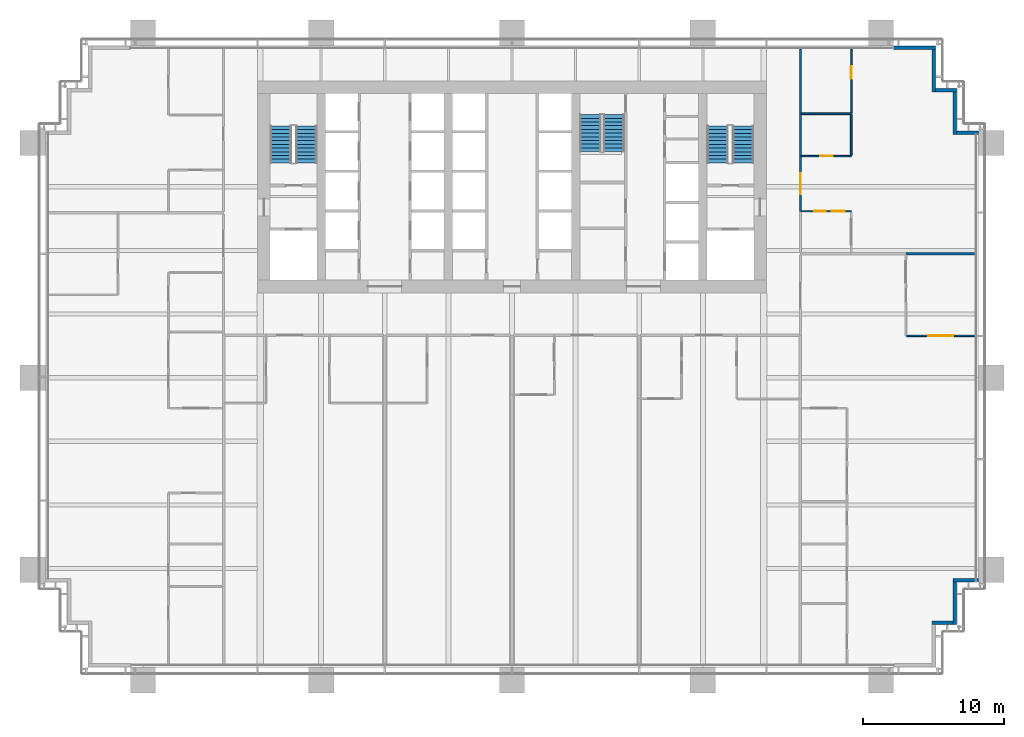
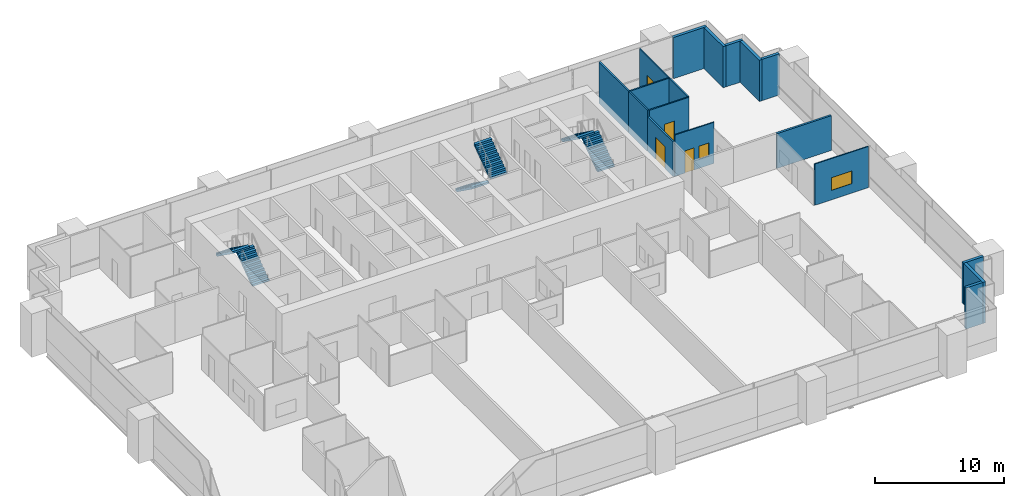
# One storey, part 15 of 20: 18 walls, 6 stair flights, 4 doors, 2 windows, 6 openings, 3 elements without a shape of their own.
"""IFC4 building model written with IfcOpenShell, lengths in metres."""

from ifc_helpers import new_model, si_unit, direction, frame, frame_2d, origin, place, context, subcontext, project, spatial, polyline, rectangle, outline, extrude, material, layer, layer_set, type_object, element, fill, aggregate, save


model = new_model("IFC4")

# Units and contexts
model_context = context("Model", 3, precision=1e-05, world=origin(), true_north=direction((0.0, 1.0)))
body_context = subcontext(model_context, "Body", "Model", "MODEL_VIEW")
ifc_project = project(units=[si_unit("LENGTHUNIT", "METRE"), si_unit("AREAUNIT", "SQUARE_METRE"), si_unit("VOLUMEUNIT", "CUBIC_METRE"), si_unit("PLANEANGLEUNIT", "RADIAN"), si_unit("MASSUNIT", "GRAM", prefix="KILO")], contexts=[model_context])

# Site, building, storey
site_placement = place(None, origin())
site = spatial("IfcSite", under=ifc_project, at=site_placement, CompositionType="ELEMENT")
building_placement = place(site_placement, origin())
building = spatial("IfcBuilding", under=site, at=building_placement, Name="Rattan Terrace Tower", CompositionType="ELEMENT")
storey_placement = place(building_placement, frame((0.0, 0.0, 40.60009765625)))
storey = spatial("IfcBuildingStorey", under=building, at=storey_placement, Name="L08", CompositionType="ELEMENT", Elevation=40.60009765625)

# Walls
ifc_material_1 = material(Name="Insulated aluminium-clad stud wall", Category="aluminium")
ifc_layer_1 = layer(ifc_material_1, 0.25)
ifc_layer_set_1 = layer_set([ifc_layer_1], Name="Facade Riser Wall 250")
wall_type_1 = type_object("IfcWallType", Name="Facade Riser Wall 250", PredefinedType="SOLIDWALL", material=ifc_layer_set_1)
wall_1_placement = place(storey_placement, frame((29.705078125, -30.830078125, 0.0), z_axis=(0.0, 0.0, 1.0), x_axis=(1.0, 0.0, 0.0)))
element("IfcWall", 1, at=wall_1_placement, inside=storey, type_object=wall_type_1, Name="Riser wall L08-3", PredefinedType="SOLIDWALL", context=body_context, shape_type="SweptSolid", body=[
    extrude(rectangle(XDim=1.5, YDim=0.25, at=frame_2d((0.75, 0.0))), origin(), (0.0, 0.0, 1.0), 3.89990234375),
])
wall_2_placement = place(storey_placement, frame((31.330078125, -30.955078125, 0.0), z_axis=(0.0, 0.0, 1.0), x_axis=(0.0, 1.0, 0.0)))
element("IfcWall", 2, at=wall_2_placement, inside=storey, type_object=wall_type_1, Name="Riser wall L08-4", PredefinedType="SOLIDWALL", context=body_context, shape_type="SweptSolid", body=[
    extrude(rectangle(XDim=3.0, YDim=0.25, at=frame_2d((1.5, 0.0))), origin(), (0.0, 0.0, 1.0), 3.89990234375),
])
wall_3_placement = place(storey_placement, frame((31.205078125, -27.830078125, 0.0), z_axis=(0.0, 0.0, 1.0), x_axis=(1.0, 0.0, 0.0)))
element("IfcWall", 3, at=wall_3_placement, inside=storey, type_object=wall_type_1, Name="Riser wall L08-5", PredefinedType="SOLIDWALL", context=body_context, shape_type="SweptSolid", body=[
    extrude(rectangle(XDim=1.7998046875, YDim=0.25, at=frame_2d((0.89990234375, 0.0))), origin(), (0.0, 0.0, 1.0), 3.89990234375),
])
wall_4_placement = place(storey_placement, frame((33.0048828125, 3.830078125, 0.0), z_axis=(0.0, 0.0, 1.0), x_axis=(-1.0, 0.0, 0.0)))
element("IfcWall", 4, at=wall_4_placement, inside=storey, type_object=wall_type_1, Name="Riser wall L08-6", PredefinedType="SOLIDWALL", context=body_context, shape_type="SweptSolid", body=[
    extrude(rectangle(XDim=1.5498046875, YDim=0.25, at=frame_2d((0.77490234375, 0.0))), origin(), (0.0, 0.0, 1.0), 3.89990234375),
])
wall_5_placement = place(storey_placement, frame((31.330078125, 3.705078125, 0.0), z_axis=(0.0, 0.0, 1.0), x_axis=(0.0, 1.0, 0.0)))
element("IfcWall", 5, at=wall_5_placement, inside=storey, type_object=wall_type_1, Name="Riser wall L08-7", PredefinedType="SOLIDWALL", context=body_context, shape_type="SweptSolid", body=[
    extrude(rectangle(XDim=3.0, YDim=0.25, at=frame_2d((1.5, 0.0))), origin(), (0.0, 0.0, 1.0), 3.89990234375),
])
wall_6_placement = place(storey_placement, frame((31.455078125, 6.830078125, 0.0), z_axis=(0.0, 0.0, 1.0), x_axis=(-1.0, 0.0, 0.0)))
element("IfcWall", 6, at=wall_6_placement, inside=storey, type_object=wall_type_1, Name="Riser wall L08-8", PredefinedType="SOLIDWALL", context=body_context, shape_type="SweptSolid", body=[
    extrude(rectangle(XDim=1.5, YDim=0.25, at=frame_2d((0.75, 0.0))), origin(), (0.0, 0.0, 1.0), 3.89990234375),
])
wall_7_placement = place(storey_placement, frame((29.830078125, 6.705078125, 0.0), z_axis=(0.0, 0.0, 1.0), x_axis=(0.0, 1.0, 0.0)))
element("IfcWall", 7, at=wall_7_placement, inside=storey, type_object=wall_type_1, Name="Riser wall L08-9", PredefinedType="SOLIDWALL", context=body_context, shape_type="SweptSolid", body=[
    extrude(rectangle(XDim=3.0, YDim=0.25, at=frame_2d((1.5, 0.0))), origin(), (0.0, 0.0, 1.0), 3.89990234375),
])
wall_8_placement = place(storey_placement, frame((29.955078125, 9.830078125, 0.0), z_axis=(0.0, 0.0, 1.0), x_axis=(-1.0, 0.0, 0.0)))
element("IfcWall", 8, at=wall_8_placement, inside=storey, type_object=wall_type_1, Name="Riser wall L08-10", PredefinedType="SOLIDWALL", context=body_context, shape_type="SweptSolid", body=[
    extrude(rectangle(XDim=2.955078125, YDim=0.25, at=frame_2d((1.4775390625, 0.0))), origin(), (0.0, 0.0, 1.0), 3.89990234375),
])
ifc_material_2 = material(Name="Double steel stud acoustic partition, gypsum board, mineral wool, fire rated", Category="steel")
ifc_layer_2 = layer(ifc_material_2, 0.179931640625)
ifc_layer_set_2 = layer_set([ifc_layer_2], Name="Floors Acoustic Party Wall 180")
wall_type_2 = type_object("IfcWallType", Name="Floors Acoustic Party Wall 180", PredefinedType="PARTITIONING", material=ifc_layer_set_2)
wall_9_placement = place(storey_placement, frame((27.860107421875, -4.72705078125, 0.0), z_axis=(0.0, 0.0, 1.0), x_axis=(1.0, 0.0, 0.0)))
element("IfcWall", 9, at=wall_9_placement, inside=storey, type_object=wall_type_2, Name="pt-L08-081", PredefinedType="PARTITIONING", context=body_context, shape_type="SweptSolid", body=[
    extrude(rectangle(XDim=4.8798828125, YDim=0.179931640625, at=frame_2d((2.43994140625, 0.0))), origin(), (0.0, 0.0, 1.0), 3.2998046875),
])

# Wall, opening, window
ifc_material_3 = material(Name="Gypsum board partition on steel studs", Category="steel")
ifc_layer_3 = layer(ifc_material_3, 0.10009765625)
ifc_layer_set_3 = layer_set([ifc_layer_3], Name="Floors Partition 100")
wall_type_3 = type_object("IfcWallType", Name="Floors Partition 100", PredefinedType="PARTITIONING", material=ifc_layer_set_3)
wall_10_placement = place(storey_placement, frame((27.909912109375, -10.544921875, 0.0), z_axis=(0.0, 0.0, 1.0), x_axis=(1.0, 0.0, 0.0)))
wall_10 = element("IfcWall", 10, at=wall_10_placement, inside=storey, type_object=wall_type_3, Name="pt-L08-073", PredefinedType="PARTITIONING", context=body_context, shape_type="SweptSolid", body=[
    extrude(rectangle(XDim=4.830078125, YDim=0.10009765625, at=frame_2d((2.4150390625, 0.0))), origin(), (0.0, 0.0, 1.0), 3.89990234375),
])
opening_1_placement = place(wall_10_placement, frame((1.514892578125, 0.0, 0.89990234375)))
opening_1 = element("IfcOpeningElement", 11, at=opening_1_placement, cuts=wall_10, Name="Opening L08-W107", PredefinedType="OPENING", context=body_context, shape_type="SweptSolid", body=[
    extrude(rectangle(XDim=1.800048828125, YDim=1.199951171875, at=frame_2d((0.89990234375, 0.60009765625))), frame((0.0, 0.060546875, 0.0), z_axis=(0.0, -1.0, 0.0), x_axis=(1.0, 0.0, 0.0)), (0.0, 0.0, 1.0), 0.12109375),
])
ifc_material_4 = material(Name="Glass, clear, fixed in aluminium frame", Category="aluminium")
window_type_1 = type_object("IfcWindowType", Name="Interior Vision Window 1800x1200", PartitioningType="SINGLE_PANEL", PredefinedType="WINDOW", material=ifc_material_4)
window_1_placement = place(opening_1_placement, origin())
window_1 = element("IfcWindow", 12, at=window_1_placement, inside=storey, type_object=window_type_1, Name="w-L08-107", OverallHeight=1.199951171875, OverallWidth=1.800048828125, PartitioningType="SINGLE_PANEL", PredefinedType="WINDOW", context=body_context, shape_type="SweptSolid", body=[
    extrude(rectangle(XDim=1.800048828125, YDim=1.199951171875, at=frame_2d((0.89990234375, 0.60009765625))), frame((0.0, 0.030029296875, 0.0), z_axis=(0.0, -1.0, 0.0), x_axis=(1.0, 0.0, 0.0)), (0.0, 0.0, 1.0), 0.06005859375),
])
fill(opening_1, window_1)

# Wall, openings, door, window
wall_11_placement = place(storey_placement, frame((24.0, -1.72705078125, 0.0), z_axis=(0.0, 0.0, 1.0), x_axis=(-1.0, 0.0, 0.0)))
wall_11 = element("IfcWall", 13, at=wall_11_placement, inside=storey, type_object=wall_type_3, Name="pt-L08-085", PredefinedType="PARTITIONING", context=body_context, shape_type="SweptSolid", body=[
    extrude(rectangle(XDim=3.52490234375, YDim=0.10009765625, at=frame_2d((1.762451171875, 0.0))), origin(), (0.0, 0.0, 1.0), 3.89990234375),
])
opening_2_placement = place(wall_11_placement, frame((1.806884765625, 0.0, 0.0)))
opening_2 = element("IfcOpeningElement", 14, at=opening_2_placement, cuts=wall_11, Name="Opening L08-D127", PredefinedType="OPENING", context=body_context, shape_type="SweptSolid", body=[
    extrude(rectangle(XDim=0.800048828125, YDim=2.10009765625, at=frame_2d((0.39990234375, 1.050048828125))), frame((0.0, 0.060546875, 0.0), z_axis=(0.0, -1.0, 0.0), x_axis=(1.0, 0.0, 0.0)), (0.0, 0.0, 1.0), 0.12109375),
])
opening_3_placement = place(wall_11_placement, frame((0.47900390625, 0.0, 0.89990234375)))
opening_3 = element("IfcOpeningElement", 15, at=opening_3_placement, cuts=wall_11, Name="Opening L08-W110", PredefinedType="OPENING", context=body_context, shape_type="SweptSolid", body=[
    extrude(rectangle(XDim=0.89990234375, YDim=1.199951171875, at=frame_2d((0.449951171875, 0.60009765625))), frame((0.0, 0.060546875, 0.0), z_axis=(0.0, -1.0, 0.0), x_axis=(1.0, 0.0, 0.0)), (0.0, 0.0, 1.0), 0.12109375),
])
ifc_material_5 = material(Name="Solid core timber door, painted", Category="wood")
door_type_1 = type_object("IfcDoorType", Name="Floors Store Door 800x2100", OperationType="NOTDEFINED", PredefinedType="DOOR", material=ifc_material_5)
door_1_placement = place(opening_2_placement, origin())
door_1 = element("IfcDoor", 16, at=door_1_placement, inside=storey, type_object=door_type_1, Name="d-L08-127", OperationType="SINGLE_SWING_RIGHT", OverallHeight=2.10009765625, OverallWidth=0.800048828125, PredefinedType="DOOR", context=body_context, shape_type="SweptSolid", body=[
    extrude(rectangle(XDim=0.800048828125, YDim=2.10009765625, at=frame_2d((0.39990234375, 1.050048828125))), frame((0.0, 0.02490234375, 0.0), z_axis=(0.0, -1.0, 0.0), x_axis=(1.0, 0.0, 0.0)), (0.0, 0.0, 1.0), 0.050048828125),
])
fill(opening_2, door_1)
ifc_material_6 = material(Name="Glass, clear, fixed in aluminium frame", Category="aluminium")
window_type_2 = type_object("IfcWindowType", Name="Interior Vision Window 900x1200", PartitioningType="SINGLE_PANEL", PredefinedType="WINDOW", material=ifc_material_6)
window_2_placement = place(opening_3_placement, origin())
window_2 = element("IfcWindow", 17, at=window_2_placement, inside=storey, type_object=window_type_2, Name="w-L08-110", OverallHeight=1.199951171875, OverallWidth=0.89990234375, PartitioningType="SINGLE_PANEL", PredefinedType="WINDOW", context=body_context, shape_type="SweptSolid", body=[
    extrude(rectangle(XDim=0.89990234375, YDim=1.199951171875, at=frame_2d((0.449951171875, 0.60009765625))), frame((0.0, 0.030029296875, 0.0), z_axis=(0.0, -1.0, 0.0), x_axis=(1.0, 0.0, 0.0)), (0.0, 0.0, 1.0), 0.06005859375),
])
fill(opening_3, window_2)

# Wall, opening, door
wall_12_placement = place(storey_placement, frame((24.0, 5.193115234375, 0.0), z_axis=(0.0, 0.0, 1.0), x_axis=(0.0, 1.0, 0.0)))
wall_12 = element("IfcWall", 18, at=wall_12_placement, inside=storey, type_object=wall_type_3, Name="pt-L08-089", PredefinedType="PARTITIONING", context=body_context, shape_type="SweptSolid", body=[
    extrude(rectangle(XDim=4.546875, YDim=0.10009765625, at=frame_2d((2.2734375, 0.0))), origin(), (0.0, 0.0, 1.0), 3.89990234375),
])
opening_4_placement = place(wall_12_placement, frame((2.452880859375, 0.0, 0.0)))
opening_4 = element("IfcOpeningElement", 19, at=opening_4_placement, cuts=wall_12, Name="Opening L08-D129", PredefinedType="OPENING", context=body_context, shape_type="SweptSolid", body=[
    extrude(rectangle(XDim=0.89990234375, YDim=2.10009765625, at=frame_2d((0.449951171875, 1.050048828125))), frame((0.0, 0.060546875, 0.0), z_axis=(0.0, -1.0, 0.0), x_axis=(1.0, 0.0, 0.0)), (0.0, 0.0, 1.0), 0.12109375),
])
ifc_material_7 = material(Name="Solid core timber door, painted", Category="wood")
door_type_2 = type_object("IfcDoorType", Name="Floors Door 900x2100", OperationType="NOTDEFINED", PredefinedType="DOOR", material=ifc_material_7)
door_2_placement = place(opening_4_placement, origin())
door_2 = element("IfcDoor", 20, at=door_2_placement, inside=storey, type_object=door_type_2, Name="d-L08-129", OperationType="SINGLE_SWING_RIGHT", OverallHeight=2.10009765625, OverallWidth=0.89990234375, PredefinedType="DOOR", context=body_context, shape_type="SweptSolid", body=[
    extrude(rectangle(XDim=0.89990234375, YDim=2.10009765625, at=frame_2d((0.449951171875, 1.050048828125))), frame((0.0, 0.02490234375, 0.0), z_axis=(0.0, -1.0, 0.0), x_axis=(1.0, 0.0, 0.0)), (0.0, 0.0, 1.0), 0.050048828125),
])
fill(opening_4, door_2)

ifc_material_8 = material(Name="Gypsum board partition on steel studs, fire rated", Category="steel")
ifc_layer_4 = layer(ifc_material_8, 0.14990234375)
ifc_layer_set_4 = layer_set([ifc_layer_4], Name="Floors Tenancy Wall 150")
wall_type_4 = type_object("IfcWallType", Name="Floors Tenancy Wall 150", PredefinedType="PARTITIONING", material=ifc_layer_set_4)
wall_13_placement = place(storey_placement, frame((20.39990234375, 2.193115234375, 0.0), z_axis=(0.0, 0.0, 1.0), x_axis=(0.0, -1.0, 0.0)))
wall_13 = element("IfcWall", 21, at=wall_13_placement, inside=storey, type_object=wall_type_4, Name="pt-L08-018", PredefinedType="PARTITIONING", context=body_context, shape_type="SweptSolid", body=[
    extrude(rectangle(XDim=3.940185546875, YDim=0.14990234375, at=frame_2d((1.97021484375, 0.0))), origin(), (0.0, 0.0, 1.0), 3.2998046875),
])
opening_5_placement = place(wall_13_placement, frame((1.219970703125, 0.0, 0.0)))
opening_5 = element("IfcOpeningElement", 22, at=opening_5_placement, cuts=wall_13, Name="Opening L08-D126", PredefinedType="OPENING", context=body_context, shape_type="SweptSolid", body=[
    extrude(rectangle(XDim=1.5, YDim=2.10009765625, at=frame_2d((0.75, 1.050048828125))), frame((0.0, 0.08544921875, 0.0), z_axis=(0.0, -1.0, 0.0), x_axis=(1.0, 0.0, 0.0)), (0.0, 0.0, 1.0), 0.1708984375),
])
ifc_material_9 = material(Name="Steel fire door set", Category="steel")
door_type_3 = type_object("IfcDoorType", Name="Floors Unit Door Pair FD30S 1500x2100", OperationType="NOTDEFINED", PredefinedType="DOOR", material=ifc_material_9)
door_3_placement = place(opening_5_placement, origin())
door_3 = element("IfcDoor", 23, at=door_3_placement, inside=storey, type_object=door_type_3, Name="d-L08-126", OperationType="DOUBLE_DOOR_SINGLE_SWING", OverallHeight=2.10009765625, OverallWidth=1.5, PredefinedType="DOOR", context=body_context, shape_type="SweptSolid", body=[
    extrude(rectangle(XDim=1.5, YDim=2.10009765625, at=frame_2d((0.75, 1.050048828125))), frame((0.0, 0.02490234375, 0.0), z_axis=(0.0, -1.0, 0.0), x_axis=(1.0, 0.0, 0.0)), (0.0, 0.0, 1.0), 0.050048828125),
])
fill(opening_5, door_3)

# Walls
wall_14_placement = place(storey_placement, frame((20.39990234375, 5.153076171875, 0.0), z_axis=(0.0, 0.0, 1.0), x_axis=(0.0, -1.0, 0.0)))
element("IfcWall", 24, at=wall_14_placement, inside=storey, type_object=wall_type_4, Name="pt-L08-020", PredefinedType="PARTITIONING", context=body_context, shape_type="SweptSolid", body=[
    extrude(rectangle(XDim=2.9599609375, YDim=0.14990234375, at=frame_2d((1.47998046875, 0.0))), origin(), (0.0, 0.0, 1.0), 3.89990234375),
])
wall_15_placement = place(storey_placement, frame((20.39990234375, 9.739990234375, 0.0), z_axis=(0.0, 0.0, 1.0), x_axis=(0.0, -1.0, 0.0)))
element("IfcWall", 25, at=wall_15_placement, inside=storey, type_object=wall_type_4, Name="pt-L08-021", PredefinedType="PARTITIONING", context=body_context, shape_type="SweptSolid", body=[
    extrude(rectangle(XDim=4.5869140625, YDim=0.14990234375, at=frame_2d((2.29345703125, 0.0))), origin(), (0.0, 0.0, 1.0), 3.89990234375),
])

# Wall, opening, door
ifc_material_10 = material(Name="Moisture resistant gypsum board partition on steel studs with service cavity", Category="steel")
ifc_layer_5 = layer(ifc_material_10, 0.1201171875)
ifc_layer_set_5 = layer_set([ifc_layer_5], Name="Floors Wet Wall 120")
wall_type_5 = type_object("IfcWallType", Name="Floors Wet Wall 120", PredefinedType="PARTITIONING", material=ifc_layer_set_5)
wall_16_placement = place(storey_placement, frame((20.47509765625, 2.173095703125, 0.0), z_axis=(0.0, 0.0, 1.0), x_axis=(1.0, 0.0, 0.0)))
wall_16 = element("IfcWall", 26, at=wall_16_placement, inside=storey, type_object=wall_type_5, Name="pt-L08-087", PredefinedType="PARTITIONING", context=body_context, shape_type="SweptSolid", body=[
    extrude(rectangle(XDim=3.52490234375, YDim=0.1201171875, at=frame_2d((1.762451171875, 0.0))), origin(), (0.0, 0.0, 1.0), 3.89990234375),
])
opening_6_placement = place(wall_16_placement, frame((1.31201171875, 0.0, 0.0)))
opening_6 = element("IfcOpeningElement", 27, at=opening_6_placement, cuts=wall_16, Name="Opening L08-D128", PredefinedType="OPENING", context=body_context, shape_type="SweptSolid", body=[
    extrude(rectangle(XDim=0.89990234375, YDim=2.10009765625, at=frame_2d((0.449951171875, 1.050048828125))), frame((0.0, 0.070556640625, 0.0), z_axis=(0.0, -1.0, 0.0), x_axis=(1.0, 0.0, 0.0)), (0.0, 0.0, 1.0), 0.14111328125),
])
door_4_placement = place(opening_6_placement, origin())
door_4 = element("IfcDoor", 28, at=door_4_placement, inside=storey, type_object=door_type_2, Name="d-L08-128", OperationType="SINGLE_SWING_LEFT", OverallHeight=2.10009765625, OverallWidth=0.89990234375, PredefinedType="DOOR", context=body_context, shape_type="SweptSolid", body=[
    extrude(rectangle(XDim=0.89990234375, YDim=2.10009765625, at=frame_2d((0.449951171875, 1.050048828125))), frame((0.0, 0.02490234375, 0.0), z_axis=(0.0, -1.0, 0.0), x_axis=(1.0, 0.0, 0.0)), (0.0, 0.0, 1.0), 0.050048828125),
])
fill(opening_6, door_4)

# Walls
wall_17_placement = place(storey_placement, frame((24.0009765625, 2.23291015625, 0.0), z_axis=(0.0, 0.0, 1.0), x_axis=(0.0, 1.0, 0.0)))
element("IfcWall", 29, at=wall_17_placement, inside=storey, type_object=wall_type_5, Name="pt-L08-088", PredefinedType="PARTITIONING", context=body_context, shape_type="SweptSolid", body=[
    extrude(rectangle(XDim=2.880126953125, YDim=0.1201171875, at=frame_2d((1.43994140625, 0.0))), origin(), (0.0, 0.0, 1.0), 3.89990234375),
])
wall_18_placement = place(storey_placement, frame((20.47509765625, 5.173095703125, 0.0), z_axis=(0.0, 0.0, 1.0), x_axis=(1.0, 0.0, 0.0)))
element("IfcWall", 30, at=wall_18_placement, inside=storey, type_object=wall_type_5, Name="pt-L08-090", PredefinedType="PARTITIONING", context=body_context, shape_type="SweptSolid", body=[
    extrude(rectangle(XDim=3.52490234375, YDim=0.1201171875, at=frame_2d((1.762451171875, 0.0))), origin(), (0.0, 0.0, 1.0), 3.89990234375),
])

# Stair, stair flights
ifc_material_11 = material(Name="Concrete C40/50", Category="concrete")
stair_type = type_object("IfcStairType", Name="Core exit stair 1500", PredefinedType="HALF_TURN_STAIR", material=ifc_material_11)
stair_1_placement = place(storey_placement, origin())
stair_1 = element("IfcStair", 31, at=stair_1_placement, inside=storey, type_object=stair_type, Name="L08 exit stair 1", PredefinedType="HALF_TURN_STAIR")
ifc_material_12 = material(Name="Concrete C40/50", Category="concrete")
stair_flight_type = type_object("IfcStairFlightType", Name="Core exit stair flight 1500", PredefinedType="STRAIGHT", material=ifc_material_12)
stair_flight_1_placement = place(storey_placement, frame((-14.550048828125, 1.699951171875, 0.0), z_axis=(0.0, 0.0, 1.0), x_axis=(0.0, 1.0, 0.0)))
stair_flight_1 = element("IfcStairFlight", 32, at=stair_flight_1_placement, type_object=stair_flight_type, Name="S1 flight 1", NumberOfRisers=11, NumberOfTreads=10, PredefinedType="STRAIGHT", RiserHeight=0.186363636, TreadLength=0.26, context=body_context, shape_type="SweptSolid", body=[
    extrude(outline(polyline([(0.0, 0.0), (0.0, 0.186279296875), (0.260009765625, 0.186279296875), (0.260009765625, 0.372802734375), (0.52001953125, 0.372802734375), (0.52001953125, 0.55908203125), (0.780029296875, 0.55908203125), (0.780029296875, 0.745361328125), (1.0400390625, 0.745361328125), (1.0400390625, 0.931884765625), (1.300048828125, 0.931884765625), (1.300048828125, 1.1181640625), (1.56005859375, 1.1181640625), (1.56005859375, 1.304443359375), (1.820068359375, 1.304443359375), (1.820068359375, 1.490966796875), (2.080078125, 1.490966796875), (2.080078125, 1.67724609375), (2.340087890625, 1.67724609375), (2.340087890625, 1.863525390625), (2.60009765625, 1.863525390625), (2.60009765625, 2.050048828125), (2.60009765625, 1.67919921875), (0.25732421875, 0.0), (0.0, 0.0)])), frame((0.0, 0.75, 0.0), z_axis=(0.0, -1.0, 0.0), x_axis=(1.0, 0.0, 0.0)), (0.0, 0.0, 1.0), 1.5),
])
stair_flight_2_placement = place(storey_placement, frame((-16.35009765625, 4.300048828125, 2.0498046875), z_axis=(0.0, 0.0, 1.0), x_axis=(0.0, -1.0, 0.0)))
stair_flight_2 = element("IfcStairFlight", 33, at=stair_flight_2_placement, type_object=stair_flight_type, Name="S1 flight 2", NumberOfRisers=11, NumberOfTreads=10, PredefinedType="STRAIGHT", RiserHeight=0.186363636, TreadLength=0.26, context=body_context, shape_type="SweptSolid", body=[
    extrude(outline(polyline([(0.0, 0.0), (0.0, 0.186279296875), (0.260009765625, 0.186279296875), (0.260009765625, 0.372802734375), (0.52001953125, 0.372802734375), (0.52001953125, 0.55908203125), (0.780029296875, 0.55908203125), (0.780029296875, 0.745361328125), (1.0400390625, 0.745361328125), (1.0400390625, 0.931884765625), (1.300048828125, 0.931884765625), (1.300048828125, 1.1181640625), (1.56005859375, 1.1181640625), (1.56005859375, 1.304443359375), (1.820068359375, 1.304443359375), (1.820068359375, 1.490966796875), (2.080078125, 1.490966796875), (2.080078125, 1.67724609375), (2.340087890625, 1.67724609375), (2.340087890625, 1.863525390625), (2.60009765625, 1.863525390625), (2.60009765625, 2.050048828125), (2.60009765625, 1.67919921875), (0.25732421875, 0.0), (0.0, 0.0)])), frame((0.0, 0.75, 0.0), z_axis=(0.0, -1.0, 0.0), x_axis=(1.0, 0.0, 0.0)), (0.0, 0.0, 1.0), 1.5),
])
aggregate(stair_1, [stair_flight_1, stair_flight_2])

stair_2_placement = place(storey_placement, origin())
stair_2 = element("IfcStair", 34, at=stair_2_placement, inside=storey, type_object=stair_type, Name="L08 exit stair 2", PredefinedType="HALF_TURN_STAIR")
stair_flight_3_placement = place(storey_placement, frame((16.35009765625, 1.699951171875, 0.0), z_axis=(0.0, 0.0, 1.0), x_axis=(0.0, 1.0, 0.0)))
stair_flight_3 = element("IfcStairFlight", 35, at=stair_flight_3_placement, type_object=stair_flight_type, Name="S2 flight 1", NumberOfRisers=11, NumberOfTreads=10, PredefinedType="STRAIGHT", RiserHeight=0.186363636, TreadLength=0.26, context=body_context, shape_type="SweptSolid", body=[
    extrude(outline(polyline([(0.0, 0.0), (0.0, 0.186279296875), (0.260009765625, 0.186279296875), (0.260009765625, 0.372802734375), (0.52001953125, 0.372802734375), (0.52001953125, 0.55908203125), (0.780029296875, 0.55908203125), (0.780029296875, 0.745361328125), (1.0400390625, 0.745361328125), (1.0400390625, 0.931884765625), (1.300048828125, 0.931884765625), (1.300048828125, 1.1181640625), (1.56005859375, 1.1181640625), (1.56005859375, 1.304443359375), (1.820068359375, 1.304443359375), (1.820068359375, 1.490966796875), (2.080078125, 1.490966796875), (2.080078125, 1.67724609375), (2.340087890625, 1.67724609375), (2.340087890625, 1.863525390625), (2.60009765625, 1.863525390625), (2.60009765625, 2.050048828125), (2.60009765625, 1.67919921875), (0.25732421875, 0.0), (0.0, 0.0)])), frame((0.0, 0.75, 0.0), z_axis=(0.0, -1.0, 0.0), x_axis=(1.0, 0.0, 0.0)), (0.0, 0.0, 1.0), 1.5),
])
stair_flight_4_placement = place(storey_placement, frame((14.550048828125, 4.300048828125, 2.0498046875), z_axis=(0.0, 0.0, 1.0), x_axis=(0.0, -1.0, 0.0)))
stair_flight_4 = element("IfcStairFlight", 36, at=stair_flight_4_placement, type_object=stair_flight_type, Name="S2 flight 2", NumberOfRisers=11, NumberOfTreads=10, PredefinedType="STRAIGHT", RiserHeight=0.186363636, TreadLength=0.26, context=body_context, shape_type="SweptSolid", body=[
    extrude(outline(polyline([(0.0, 0.0), (0.0, 0.186279296875), (0.260009765625, 0.186279296875), (0.260009765625, 0.372802734375), (0.52001953125, 0.372802734375), (0.52001953125, 0.55908203125), (0.780029296875, 0.55908203125), (0.780029296875, 0.745361328125), (1.0400390625, 0.745361328125), (1.0400390625, 0.931884765625), (1.300048828125, 0.931884765625), (1.300048828125, 1.1181640625), (1.56005859375, 1.1181640625), (1.56005859375, 1.304443359375), (1.820068359375, 1.304443359375), (1.820068359375, 1.490966796875), (2.080078125, 1.490966796875), (2.080078125, 1.67724609375), (2.340087890625, 1.67724609375), (2.340087890625, 1.863525390625), (2.60009765625, 1.863525390625), (2.60009765625, 2.050048828125), (2.60009765625, 1.67919921875), (0.25732421875, 0.0), (0.0, 0.0)])), frame((0.0, 0.75, 0.0), z_axis=(0.0, -1.0, 0.0), x_axis=(1.0, 0.0, 0.0)), (0.0, 0.0, 1.0), 1.5),
])
aggregate(stair_2, [stair_flight_3, stair_flight_4])

stair_3_placement = place(storey_placement, origin())
stair_3 = element("IfcStair", 37, at=stair_3_placement, inside=storey, type_object=stair_type, Name="L08 exit stair 3", PredefinedType="HALF_TURN_STAIR")
stair_flight_5_placement = place(storey_placement, frame((5.550048828125, 5.10009765625, 0.0), z_axis=(0.0, 0.0, 1.0), x_axis=(0.0, -1.0, 0.0)))
stair_flight_5 = element("IfcStairFlight", 38, at=stair_flight_5_placement, type_object=stair_flight_type, Name="S3 flight 1", NumberOfRisers=11, NumberOfTreads=10, PredefinedType="STRAIGHT", RiserHeight=0.186363636, TreadLength=0.26, context=body_context, shape_type="SweptSolid", body=[
    extrude(outline(polyline([(0.0, 0.0), (0.0, 0.186279296875), (0.260009765625, 0.186279296875), (0.260009765625, 0.372802734375), (0.52001953125, 0.372802734375), (0.52001953125, 0.55908203125), (0.780029296875, 0.55908203125), (0.780029296875, 0.745361328125), (1.0400390625, 0.745361328125), (1.0400390625, 0.931884765625), (1.300048828125, 0.931884765625), (1.300048828125, 1.1181640625), (1.56005859375, 1.1181640625), (1.56005859375, 1.304443359375), (1.820068359375, 1.304443359375), (1.820068359375, 1.490966796875), (2.080078125, 1.490966796875), (2.080078125, 1.67724609375), (2.340087890625, 1.67724609375), (2.340087890625, 1.863525390625), (2.60009765625, 1.863525390625), (2.60009765625, 2.050048828125), (2.60009765625, 1.67919921875), (0.25732421875, 0.0), (0.0, 0.0)])), frame((0.0, 0.75, 0.0), z_axis=(0.0, -1.0, 0.0), x_axis=(1.0, 0.0, 0.0)), (0.0, 0.0, 1.0), 1.5),
])
stair_flight_6_placement = place(storey_placement, frame((7.199951171875, 2.5, 2.0498046875), z_axis=(0.0, 0.0, 1.0), x_axis=(0.0, 1.0, 0.0)))
stair_flight_6 = element("IfcStairFlight", 39, at=stair_flight_6_placement, type_object=stair_flight_type, Name="S3 flight 2", NumberOfRisers=11, NumberOfTreads=10, PredefinedType="STRAIGHT", RiserHeight=0.186363636, TreadLength=0.26, context=body_context, shape_type="SweptSolid", body=[
    extrude(outline(polyline([(0.0, 0.0), (0.0, 0.186279296875), (0.260009765625, 0.186279296875), (0.260009765625, 0.372802734375), (0.52001953125, 0.372802734375), (0.52001953125, 0.55908203125), (0.780029296875, 0.55908203125), (0.780029296875, 0.745361328125), (1.0400390625, 0.745361328125), (1.0400390625, 0.931884765625), (1.300048828125, 0.931884765625), (1.300048828125, 1.1181640625), (1.56005859375, 1.1181640625), (1.56005859375, 1.304443359375), (1.820068359375, 1.304443359375), (1.820068359375, 1.490966796875), (2.080078125, 1.490966796875), (2.080078125, 1.67724609375), (2.340087890625, 1.67724609375), (2.340087890625, 1.863525390625), (2.60009765625, 1.863525390625), (2.60009765625, 2.050048828125), (2.60009765625, 1.67919921875), (0.25732421875, 0.0), (0.0, 0.0)])), frame((0.0, 0.75, 0.0), z_axis=(0.0, -1.0, 0.0), x_axis=(1.0, 0.0, 0.0)), (0.0, 0.0, 1.0), 1.5),
])
aggregate(stair_3, [stair_flight_5, stair_flight_6])

save(model, "model.ifc")
